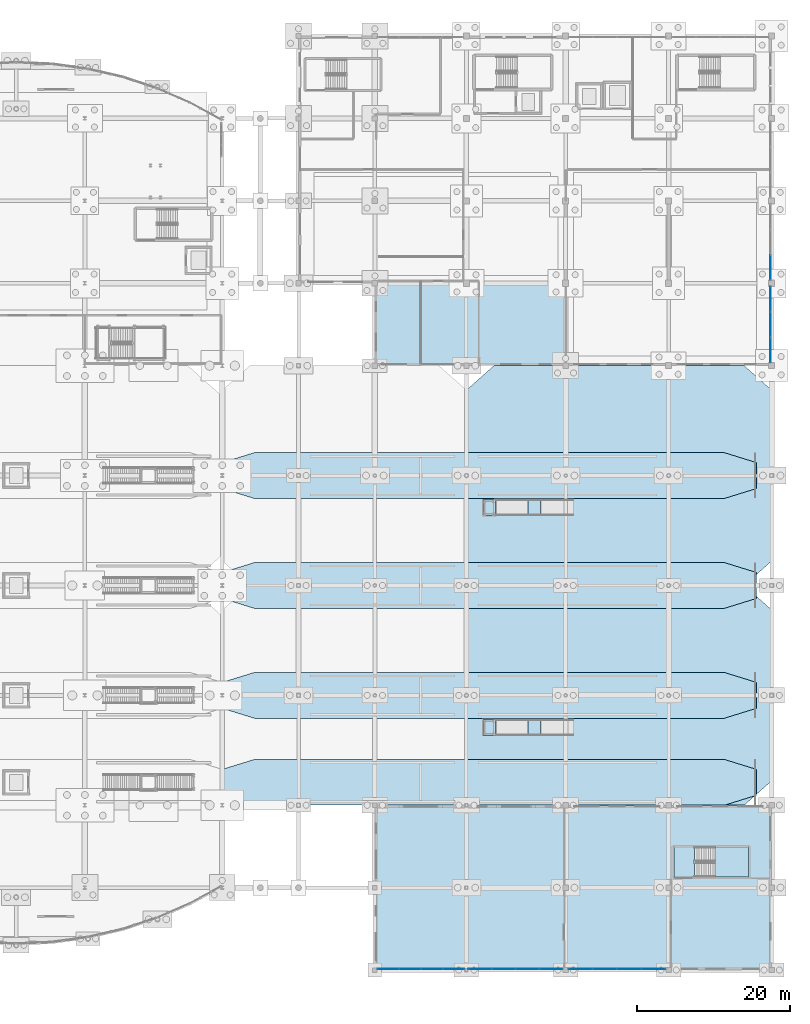
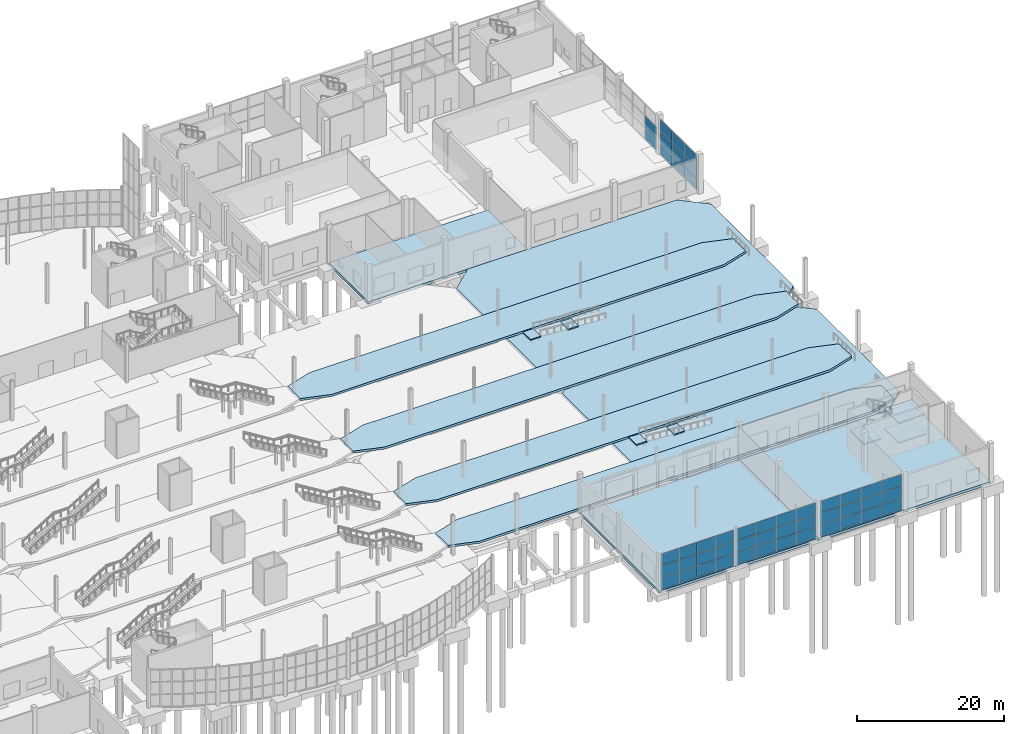
# One storey, part 83 of 115: 47 plates, 16 slabs, 8 elements without a shape of their own.
"""IFC4 building model written with IfcOpenShell, lengths in metres."""

from ifc_helpers import new_model, si_unit, direction, frame, origin, origin_2d, place, context, subcontext, project, spatial, polyline, rectangle, outline, extrude, material, layer, layer_set, type_object, element, aggregate, save


model = new_model("IFC4")

# Units and contexts
model_context = context("Model", 3, precision=1e-05, world=origin(), true_north=direction((0.0, 1.0)))
body_context = subcontext(model_context, "Body", "Model", "MODEL_VIEW")
ifc_project = project(units=[si_unit("LENGTHUNIT", "METRE"), si_unit("AREAUNIT", "SQUARE_METRE"), si_unit("VOLUMEUNIT", "CUBIC_METRE"), si_unit("PLANEANGLEUNIT", "RADIAN"), si_unit("MASSUNIT", "GRAM", prefix="KILO")], contexts=[model_context])

# Site, building, storey
site_placement = place(None, origin())
site = spatial("IfcSite", under=ifc_project, at=site_placement, CompositionType="ELEMENT")
building_placement = place(site_placement, origin())
building = spatial("IfcBuilding", under=site, at=building_placement, Name="Tamarisk Ironworks Central Station", CompositionType="ELEMENT")
storey_placement = place(building_placement, origin())
storey = spatial("IfcBuildingStorey", under=building, at=storey_placement, Name="L00", CompositionType="ELEMENT", Elevation=0.0)

# Curtain wall, plates
ifc_material_1 = material(Name="Anodized aluminium alloy 6063-T6", Category="aluminium")
ifc_layer_1 = layer(ifc_material_1, 0.179931640625)
ifc_layer_set_1 = layer_set([ifc_layer_1], Name="Anodized aluminium alloy 6063-T6")
curtain_wall_type = type_object("IfcCurtainWallType", Name="CW-15", PredefinedType="USERDEFINED", material=ifc_layer_set_1)
curtain_wall_1_placement = place(storey_placement, origin())
curtain_wall_1 = element("IfcCurtainWall", 1, at=curtain_wall_1_placement, inside=storey, type_object=curtain_wall_type, Name="Operations L00 east facade curtain wall 079", ObjectType="GLAZED CURTAIN WALL", PredefinedType="USERDEFINED")
ifc_material_2 = material(Name="Laminated solar-control low-E glass", Category="glass")
ifc_layer_2 = layer(ifc_material_2, 0.028076171875)
ifc_layer_set_2 = layer_set([ifc_layer_2], Name="Laminated solar-control low-E glass")
plate_type = type_object("IfcPlateType", Name="PL-CWP28", PredefinedType="CURTAIN_PANEL", material=ifc_layer_set_2)
plate_1_placement = place(storey_placement, frame((179.85009765625, 81.2841796875, 0.069091796875), z_axis=(0.0, 0.0, 1.0), x_axis=(0.0, 1.0, 0.0)))
plate_1 = element("IfcPlate", 2, at=plate_1_placement, type_object=plate_type, Name="CW15 panel 1.1", PredefinedType="CURTAIN_PANEL", context=body_context, shape_type="SweptSolid", body=[
    extrude(rectangle(XDim=3.234130859375, YDim=0.028076171875, at=origin_2d()), origin(), (0.0, 0.0, 1.0), 1.90625),
])
plate_2_placement = place(storey_placement, frame((179.85009765625, 81.2841796875, 2.0380859375), z_axis=(0.0, 0.0, 1.0), x_axis=(0.0, 1.0, 0.0)))
plate_2 = element("IfcPlate", 3, at=plate_2_placement, type_object=plate_type, Name="CW15 panel 1.2", PredefinedType="CURTAIN_PANEL", context=body_context, shape_type="SweptSolid", body=[
    extrude(rectangle(XDim=3.234130859375, YDim=0.028076171875, at=origin_2d()), origin(), (0.0, 0.0, 1.0), 1.943603515625),
])
plate_3_placement = place(storey_placement, frame((179.85009765625, 81.2841796875, 4.044677734375), z_axis=(0.0, 0.0, 1.0), x_axis=(0.0, 1.0, 0.0)))
plate_3 = element("IfcPlate", 4, at=plate_3_placement, type_object=plate_type, Name="CW15 panel 1.3", PredefinedType="CURTAIN_PANEL", context=body_context, shape_type="SweptSolid", body=[
    extrude(rectangle(XDim=3.234130859375, YDim=0.028076171875, at=origin_2d()), origin(), (0.0, 0.0, 1.0), 1.90625),
])
plate_4_placement = place(storey_placement, frame((179.85009765625, 84.60009765625, 0.069091796875), z_axis=(0.0, 0.0, 1.0), x_axis=(0.0, 1.0, 0.0)))
plate_4 = element("IfcPlate", 5, at=plate_4_placement, type_object=plate_type, Name="CW15 panel 2.1", PredefinedType="CURTAIN_PANEL", context=body_context, shape_type="SweptSolid", body=[
    extrude(rectangle(XDim=3.271728515625, YDim=0.028076171875, at=origin_2d()), origin(), (0.0, 0.0, 1.0), 1.90625),
])
plate_5_placement = place(storey_placement, frame((179.85009765625, 84.60009765625, 2.0380859375), z_axis=(0.0, 0.0, 1.0), x_axis=(0.0, 1.0, 0.0)))
plate_5 = element("IfcPlate", 6, at=plate_5_placement, type_object=plate_type, Name="CW15 panel 2.2", PredefinedType="CURTAIN_PANEL", context=body_context, shape_type="SweptSolid", body=[
    extrude(rectangle(XDim=3.271728515625, YDim=0.028076171875, at=origin_2d()), origin(), (0.0, 0.0, 1.0), 1.943603515625),
])
plate_6_placement = place(storey_placement, frame((179.85009765625, 84.60009765625, 4.044677734375), z_axis=(0.0, 0.0, 1.0), x_axis=(0.0, 1.0, 0.0)))
plate_6 = element("IfcPlate", 7, at=plate_6_placement, type_object=plate_type, Name="CW15 panel 2.3", PredefinedType="CURTAIN_PANEL", context=body_context, shape_type="SweptSolid", body=[
    extrude(rectangle(XDim=3.271728515625, YDim=0.028076171875, at=origin_2d()), origin(), (0.0, 0.0, 1.0), 1.90625),
])
plate_7_placement = place(storey_placement, frame((179.85009765625, 87.916015625, 0.069091796875), z_axis=(0.0, 0.0, 1.0), x_axis=(0.0, 1.0, 0.0)))
plate_7 = element("IfcPlate", 8, at=plate_7_placement, type_object=plate_type, Name="CW15 panel 3.1", PredefinedType="CURTAIN_PANEL", context=body_context, shape_type="SweptSolid", body=[
    extrude(rectangle(XDim=3.234130859375, YDim=0.028076171875, at=origin_2d()), origin(), (0.0, 0.0, 1.0), 1.90625),
])
plate_8_placement = place(storey_placement, frame((179.85009765625, 87.916015625, 2.0380859375), z_axis=(0.0, 0.0, 1.0), x_axis=(0.0, 1.0, 0.0)))
plate_8 = element("IfcPlate", 9, at=plate_8_placement, type_object=plate_type, Name="CW15 panel 3.2", PredefinedType="CURTAIN_PANEL", context=body_context, shape_type="SweptSolid", body=[
    extrude(rectangle(XDim=3.234130859375, YDim=0.028076171875, at=origin_2d()), origin(), (0.0, 0.0, 1.0), 1.943603515625),
])
plate_9_placement = place(storey_placement, frame((179.85009765625, 87.916015625, 4.044677734375), z_axis=(0.0, 0.0, 1.0), x_axis=(0.0, 1.0, 0.0)))
plate_9 = element("IfcPlate", 10, at=plate_9_placement, type_object=plate_type, Name="CW15 panel 3.3", PredefinedType="CURTAIN_PANEL", context=body_context, shape_type="SweptSolid", body=[
    extrude(rectangle(XDim=3.234130859375, YDim=0.028076171875, at=origin_2d()), origin(), (0.0, 0.0, 1.0), 1.90625),
])
aggregate(curtain_wall_1, [plate_1, plate_2, plate_3, plate_4, plate_5, plate_6, plate_7, plate_8, plate_9])

curtain_wall_2_placement = place(storey_placement, origin())
curtain_wall_2 = element("IfcCurtainWall", 11, at=curtain_wall_2_placement, inside=storey, type_object=curtain_wall_type, Name="Operations L00 east facade curtain wall 090", ObjectType="GLAZED CURTAIN WALL", PredefinedType="USERDEFINED")
plate_10_placement = place(storey_placement, frame((179.85009765625, 92.083984375, 0.069091796875), z_axis=(0.0, 0.0, 1.0), x_axis=(0.0, 1.0, 0.0)))
plate_10 = element("IfcPlate", 12, at=plate_10_placement, type_object=plate_type, Name="CW15 panel 1.1", PredefinedType="CURTAIN_PANEL", context=body_context, shape_type="SweptSolid", body=[
    extrude(rectangle(XDim=3.234130859375, YDim=0.028076171875, at=origin_2d()), origin(), (0.0, 0.0, 1.0), 1.90625),
])
plate_11_placement = place(storey_placement, frame((179.85009765625, 92.083984375, 2.0380859375), z_axis=(0.0, 0.0, 1.0), x_axis=(0.0, 1.0, 0.0)))
plate_11 = element("IfcPlate", 13, at=plate_11_placement, type_object=plate_type, Name="CW15 panel 1.2", PredefinedType="CURTAIN_PANEL", context=body_context, shape_type="SweptSolid", body=[
    extrude(rectangle(XDim=3.234130859375, YDim=0.028076171875, at=origin_2d()), origin(), (0.0, 0.0, 1.0), 1.943603515625),
])
aggregate(curtain_wall_2, [plate_10, plate_11])

curtain_wall_3_placement = place(storey_placement, origin())
curtain_wall_3 = element("IfcCurtainWall", 14, at=curtain_wall_3_placement, inside=storey, type_object=curtain_wall_type, Name="South-east annex L00 curtain wall 128", ObjectType="GLAZED CURTAIN WALL", PredefinedType="USERDEFINED")
plate_12_placement = place(storey_placement, frame((129.754638671875, 0.14990234375, 0.069091796875), z_axis=(0.0, 0.0, 1.0), x_axis=(1.0, 0.0, 0.0)))
plate_12 = element("IfcPlate", 15, at=plate_12_placement, type_object=plate_type, Name="CW15 panel 1.1", PredefinedType="CURTAIN_PANEL", context=body_context, shape_type="SweptSolid", body=[
    extrude(rectangle(XDim=2.775390625, YDim=0.028076171875, at=origin_2d()), origin(), (0.0, 0.0, 1.0), 1.90625),
])
plate_13_placement = place(storey_placement, frame((129.754638671875, 0.14990234375, 2.0380859375), z_axis=(0.0, 0.0, 1.0), x_axis=(1.0, 0.0, 0.0)))
plate_13 = element("IfcPlate", 16, at=plate_13_placement, type_object=plate_type, Name="CW15 panel 1.2", PredefinedType="CURTAIN_PANEL", context=body_context, shape_type="SweptSolid", body=[
    extrude(rectangle(XDim=2.775390625, YDim=0.028076171875, at=origin_2d()), origin(), (0.0, 0.0, 1.0), 1.943603515625),
])
plate_14_placement = place(storey_placement, frame((129.754638671875, 0.14990234375, 4.044677734375), z_axis=(0.0, 0.0, 1.0), x_axis=(1.0, 0.0, 0.0)))
plate_14 = element("IfcPlate", 17, at=plate_14_placement, type_object=plate_type, Name="CW15 panel 1.3", PredefinedType="CURTAIN_PANEL", context=body_context, shape_type="SweptSolid", body=[
    extrude(rectangle(XDim=2.775390625, YDim=0.028076171875, at=origin_2d()), origin(), (0.0, 0.0, 1.0), 1.90625),
])
plate_15_placement = place(storey_placement, frame((132.612060546875, 0.14990234375, 0.069091796875), z_axis=(0.0, 0.0, 1.0), x_axis=(1.0, 0.0, 0.0)))
plate_15 = element("IfcPlate", 18, at=plate_15_placement, type_object=plate_type, Name="CW15 panel 2.1", PredefinedType="CURTAIN_PANEL", context=body_context, shape_type="SweptSolid", body=[
    extrude(rectangle(XDim=2.81298828125, YDim=0.028076171875, at=origin_2d()), origin(), (0.0, 0.0, 1.0), 1.90625),
])
plate_16_placement = place(storey_placement, frame((132.612060546875, 0.14990234375, 2.0380859375), z_axis=(0.0, 0.0, 1.0), x_axis=(1.0, 0.0, 0.0)))
plate_16 = element("IfcPlate", 19, at=plate_16_placement, type_object=plate_type, Name="CW15 panel 2.2", PredefinedType="CURTAIN_PANEL", context=body_context, shape_type="SweptSolid", body=[
    extrude(rectangle(XDim=2.81298828125, YDim=0.028076171875, at=origin_2d()), origin(), (0.0, 0.0, 1.0), 1.943603515625),
])
plate_17_placement = place(storey_placement, frame((132.612060546875, 0.14990234375, 4.044677734375), z_axis=(0.0, 0.0, 1.0), x_axis=(1.0, 0.0, 0.0)))
plate_17 = element("IfcPlate", 20, at=plate_17_placement, type_object=plate_type, Name="CW15 panel 2.3", PredefinedType="CURTAIN_PANEL", context=body_context, shape_type="SweptSolid", body=[
    extrude(rectangle(XDim=2.81298828125, YDim=0.028076171875, at=origin_2d()), origin(), (0.0, 0.0, 1.0), 1.90625),
])
plate_18_placement = place(storey_placement, frame((135.488037109375, 0.14990234375, 0.069091796875), z_axis=(0.0, 0.0, 1.0), x_axis=(1.0, 0.0, 0.0)))
plate_18 = element("IfcPlate", 21, at=plate_18_placement, type_object=plate_type, Name="CW15 panel 3.1", PredefinedType="CURTAIN_PANEL", context=body_context, shape_type="SweptSolid", body=[
    extrude(rectangle(XDim=2.81298828125, YDim=0.028076171875, at=origin_2d()), origin(), (0.0, 0.0, 1.0), 1.90625),
])
plate_19_placement = place(storey_placement, frame((135.488037109375, 0.14990234375, 2.0380859375), z_axis=(0.0, 0.0, 1.0), x_axis=(1.0, 0.0, 0.0)))
plate_19 = element("IfcPlate", 22, at=plate_19_placement, type_object=plate_type, Name="CW15 panel 3.2", PredefinedType="CURTAIN_PANEL", context=body_context, shape_type="SweptSolid", body=[
    extrude(rectangle(XDim=2.81298828125, YDim=0.028076171875, at=origin_2d()), origin(), (0.0, 0.0, 1.0), 1.943603515625),
])
plate_20_placement = place(storey_placement, frame((135.488037109375, 0.14990234375, 4.044677734375), z_axis=(0.0, 0.0, 1.0), x_axis=(1.0, 0.0, 0.0)))
plate_20 = element("IfcPlate", 23, at=plate_20_placement, type_object=plate_type, Name="CW15 panel 3.3", PredefinedType="CURTAIN_PANEL", context=body_context, shape_type="SweptSolid", body=[
    extrude(rectangle(XDim=2.81298828125, YDim=0.028076171875, at=origin_2d()), origin(), (0.0, 0.0, 1.0), 1.90625),
])
plate_21_placement = place(storey_placement, frame((138.34521484375, 0.14990234375, 0.069091796875), z_axis=(0.0, 0.0, 1.0), x_axis=(1.0, 0.0, 0.0)))
plate_21 = element("IfcPlate", 24, at=plate_21_placement, type_object=plate_type, Name="CW15 panel 4.1", PredefinedType="CURTAIN_PANEL", context=body_context, shape_type="SweptSolid", body=[
    extrude(rectangle(XDim=2.775390625, YDim=0.028076171875, at=origin_2d()), origin(), (0.0, 0.0, 1.0), 1.90625),
])
plate_22_placement = place(storey_placement, frame((138.34521484375, 0.14990234375, 2.0380859375), z_axis=(0.0, 0.0, 1.0), x_axis=(1.0, 0.0, 0.0)))
plate_22 = element("IfcPlate", 25, at=plate_22_placement, type_object=plate_type, Name="CW15 panel 4.2", PredefinedType="CURTAIN_PANEL", context=body_context, shape_type="SweptSolid", body=[
    extrude(rectangle(XDim=2.775390625, YDim=0.028076171875, at=origin_2d()), origin(), (0.0, 0.0, 1.0), 1.943603515625),
])
plate_23_placement = place(storey_placement, frame((138.34521484375, 0.14990234375, 4.044677734375), z_axis=(0.0, 0.0, 1.0), x_axis=(1.0, 0.0, 0.0)))
plate_23 = element("IfcPlate", 26, at=plate_23_placement, type_object=plate_type, Name="CW15 panel 4.3", PredefinedType="CURTAIN_PANEL", context=body_context, shape_type="SweptSolid", body=[
    extrude(rectangle(XDim=2.775390625, YDim=0.028076171875, at=origin_2d()), origin(), (0.0, 0.0, 1.0), 1.90625),
])
aggregate(curtain_wall_3, [plate_12, plate_13, plate_14, plate_15, plate_16, plate_17, plate_18, plate_19, plate_20, plate_21, plate_22, plate_23])

curtain_wall_4_placement = place(storey_placement, origin())
curtain_wall_4 = element("IfcCurtainWall", 27, at=curtain_wall_4_placement, inside=storey, type_object=curtain_wall_type, Name="South-east annex L00 curtain wall 140", ObjectType="GLAZED CURTAIN WALL", PredefinedType="USERDEFINED")
plate_24_placement = place(storey_placement, frame((141.7734375, 0.14990234375, 0.069091796875), z_axis=(0.0, 0.0, 1.0), x_axis=(1.0, 0.0, 0.0)))
plate_24 = element("IfcPlate", 28, at=plate_24_placement, type_object=plate_type, Name="CW15 panel 1.1", PredefinedType="CURTAIN_PANEL", context=body_context, shape_type="SweptSolid", body=[
    extrude(rectangle(XDim=3.012939453125, YDim=0.028076171875, at=origin_2d()), origin(), (0.0, 0.0, 1.0), 1.90625),
])
plate_25_placement = place(storey_placement, frame((141.7734375, 0.14990234375, 2.0380859375), z_axis=(0.0, 0.0, 1.0), x_axis=(1.0, 0.0, 0.0)))
plate_25 = element("IfcPlate", 29, at=plate_25_placement, type_object=plate_type, Name="CW15 panel 1.2", PredefinedType="CURTAIN_PANEL", context=body_context, shape_type="SweptSolid", body=[
    extrude(rectangle(XDim=3.012939453125, YDim=0.028076171875, at=origin_2d()), origin(), (0.0, 0.0, 1.0), 1.943603515625),
])
plate_26_placement = place(storey_placement, frame((141.7734375, 0.14990234375, 4.044677734375), z_axis=(0.0, 0.0, 1.0), x_axis=(1.0, 0.0, 0.0)))
plate_26 = element("IfcPlate", 30, at=plate_26_placement, type_object=plate_type, Name="CW15 panel 1.3", PredefinedType="CURTAIN_PANEL", context=body_context, shape_type="SweptSolid", body=[
    extrude(rectangle(XDim=3.012939453125, YDim=0.028076171875, at=origin_2d()), origin(), (0.0, 0.0, 1.0), 1.90625),
])
plate_27_placement = place(storey_placement, frame((144.8681640625, 0.14990234375, 0.069091796875), z_axis=(0.0, 0.0, 1.0), x_axis=(1.0, 0.0, 0.0)))
plate_27 = element("IfcPlate", 31, at=plate_27_placement, type_object=plate_type, Name="CW15 panel 2.1", PredefinedType="CURTAIN_PANEL", context=body_context, shape_type="SweptSolid", body=[
    extrude(rectangle(XDim=3.050537109375, YDim=0.028076171875, at=origin_2d()), origin(), (0.0, 0.0, 1.0), 1.90625),
])
plate_28_placement = place(storey_placement, frame((144.8681640625, 0.14990234375, 2.0380859375), z_axis=(0.0, 0.0, 1.0), x_axis=(1.0, 0.0, 0.0)))
plate_28 = element("IfcPlate", 32, at=plate_28_placement, type_object=plate_type, Name="CW15 panel 2.2", PredefinedType="CURTAIN_PANEL", context=body_context, shape_type="SweptSolid", body=[
    extrude(rectangle(XDim=3.050537109375, YDim=0.028076171875, at=origin_2d()), origin(), (0.0, 0.0, 1.0), 1.943603515625),
])
plate_29_placement = place(storey_placement, frame((144.8681640625, 0.14990234375, 4.044677734375), z_axis=(0.0, 0.0, 1.0), x_axis=(1.0, 0.0, 0.0)))
plate_29 = element("IfcPlate", 33, at=plate_29_placement, type_object=plate_type, Name="CW15 panel 2.3", PredefinedType="CURTAIN_PANEL", context=body_context, shape_type="SweptSolid", body=[
    extrude(rectangle(XDim=3.050537109375, YDim=0.028076171875, at=origin_2d()), origin(), (0.0, 0.0, 1.0), 1.90625),
])
plate_30_placement = place(storey_placement, frame((147.981689453125, 0.14990234375, 0.069091796875), z_axis=(0.0, 0.0, 1.0), x_axis=(1.0, 0.0, 0.0)))
plate_30 = element("IfcPlate", 34, at=plate_30_placement, type_object=plate_type, Name="CW15 panel 3.1", PredefinedType="CURTAIN_PANEL", context=body_context, shape_type="SweptSolid", body=[
    extrude(rectangle(XDim=3.050537109375, YDim=0.028076171875, at=origin_2d()), origin(), (0.0, 0.0, 1.0), 1.90625),
])
plate_31_placement = place(storey_placement, frame((147.981689453125, 0.14990234375, 2.0380859375), z_axis=(0.0, 0.0, 1.0), x_axis=(1.0, 0.0, 0.0)))
plate_31 = element("IfcPlate", 35, at=plate_31_placement, type_object=plate_type, Name="CW15 panel 3.2", PredefinedType="CURTAIN_PANEL", context=body_context, shape_type="SweptSolid", body=[
    extrude(rectangle(XDim=3.050537109375, YDim=0.028076171875, at=origin_2d()), origin(), (0.0, 0.0, 1.0), 1.943603515625),
])
plate_32_placement = place(storey_placement, frame((147.981689453125, 0.14990234375, 4.044677734375), z_axis=(0.0, 0.0, 1.0), x_axis=(1.0, 0.0, 0.0)))
plate_32 = element("IfcPlate", 36, at=plate_32_placement, type_object=plate_type, Name="CW15 panel 3.3", PredefinedType="CURTAIN_PANEL", context=body_context, shape_type="SweptSolid", body=[
    extrude(rectangle(XDim=3.050537109375, YDim=0.028076171875, at=origin_2d()), origin(), (0.0, 0.0, 1.0), 1.90625),
])
plate_33_placement = place(storey_placement, frame((151.076416015625, 0.14990234375, 0.069091796875), z_axis=(0.0, 0.0, 1.0), x_axis=(1.0, 0.0, 0.0)))
plate_33 = element("IfcPlate", 37, at=plate_33_placement, type_object=plate_type, Name="CW15 panel 4.1", PredefinedType="CURTAIN_PANEL", context=body_context, shape_type="SweptSolid", body=[
    extrude(rectangle(XDim=3.012939453125, YDim=0.028076171875, at=origin_2d()), origin(), (0.0, 0.0, 1.0), 1.90625),
])
plate_34_placement = place(storey_placement, frame((151.076416015625, 0.14990234375, 2.0380859375), z_axis=(0.0, 0.0, 1.0), x_axis=(1.0, 0.0, 0.0)))
plate_34 = element("IfcPlate", 38, at=plate_34_placement, type_object=plate_type, Name="CW15 panel 4.2", PredefinedType="CURTAIN_PANEL", context=body_context, shape_type="SweptSolid", body=[
    extrude(rectangle(XDim=3.012939453125, YDim=0.028076171875, at=origin_2d()), origin(), (0.0, 0.0, 1.0), 1.943603515625),
])
plate_35_placement = place(storey_placement, frame((151.076416015625, 0.14990234375, 4.044677734375), z_axis=(0.0, 0.0, 1.0), x_axis=(1.0, 0.0, 0.0)))
plate_35 = element("IfcPlate", 39, at=plate_35_placement, type_object=plate_type, Name="CW15 panel 4.3", PredefinedType="CURTAIN_PANEL", context=body_context, shape_type="SweptSolid", body=[
    extrude(rectangle(XDim=3.012939453125, YDim=0.028076171875, at=origin_2d()), origin(), (0.0, 0.0, 1.0), 1.90625),
])
aggregate(curtain_wall_4, [plate_24, plate_25, plate_26, plate_27, plate_28, plate_29, plate_30, plate_31, plate_32, plate_33, plate_34, plate_35])

curtain_wall_5_placement = place(storey_placement, origin())
curtain_wall_5 = element("IfcCurtainWall", 40, at=curtain_wall_5_placement, inside=storey, type_object=curtain_wall_type, Name="South-east annex L00 curtain wall 153", ObjectType="GLAZED CURTAIN WALL", PredefinedType="USERDEFINED")
plate_36_placement = place(storey_placement, frame((154.96728515625, 0.14990234375, 0.069091796875), z_axis=(0.0, 0.0, 1.0), x_axis=(1.0, 0.0, 0.0)))
plate_36 = element("IfcPlate", 41, at=plate_36_placement, type_object=plate_type, Name="CW15 panel 1.1", PredefinedType="CURTAIN_PANEL", context=body_context, shape_type="SweptSolid", body=[
    extrude(rectangle(XDim=3.1005859375, YDim=0.028076171875, at=origin_2d()), origin(), (0.0, 0.0, 1.0), 1.90625),
])
plate_37_placement = place(storey_placement, frame((154.96728515625, 0.14990234375, 2.0380859375), z_axis=(0.0, 0.0, 1.0), x_axis=(1.0, 0.0, 0.0)))
plate_37 = element("IfcPlate", 42, at=plate_37_placement, type_object=plate_type, Name="CW15 panel 1.2", PredefinedType="CURTAIN_PANEL", context=body_context, shape_type="SweptSolid", body=[
    extrude(rectangle(XDim=3.1005859375, YDim=0.028076171875, at=origin_2d()), origin(), (0.0, 0.0, 1.0), 1.943603515625),
])
plate_38_placement = place(storey_placement, frame((154.96728515625, 0.14990234375, 4.044677734375), z_axis=(0.0, 0.0, 1.0), x_axis=(1.0, 0.0, 0.0)))
plate_38 = element("IfcPlate", 43, at=plate_38_placement, type_object=plate_type, Name="CW15 panel 1.3", PredefinedType="CURTAIN_PANEL", context=body_context, shape_type="SweptSolid", body=[
    extrude(rectangle(XDim=3.1005859375, YDim=0.028076171875, at=origin_2d()), origin(), (0.0, 0.0, 1.0), 1.90625),
])
plate_39_placement = place(storey_placement, frame((158.1494140625, 0.14990234375, 0.069091796875), z_axis=(0.0, 0.0, 1.0), x_axis=(1.0, 0.0, 0.0)))
plate_39 = element("IfcPlate", 44, at=plate_39_placement, type_object=plate_type, Name="CW15 panel 2.1", PredefinedType="CURTAIN_PANEL", context=body_context, shape_type="SweptSolid", body=[
    extrude(rectangle(XDim=3.137939453125, YDim=0.028076171875, at=origin_2d()), origin(), (0.0, 0.0, 1.0), 1.90625),
])
plate_40_placement = place(storey_placement, frame((158.1494140625, 0.14990234375, 2.0380859375), z_axis=(0.0, 0.0, 1.0), x_axis=(1.0, 0.0, 0.0)))
plate_40 = element("IfcPlate", 45, at=plate_40_placement, type_object=plate_type, Name="CW15 panel 2.2", PredefinedType="CURTAIN_PANEL", context=body_context, shape_type="SweptSolid", body=[
    extrude(rectangle(XDim=3.137939453125, YDim=0.028076171875, at=origin_2d()), origin(), (0.0, 0.0, 1.0), 1.943603515625),
])
plate_41_placement = place(storey_placement, frame((158.1494140625, 0.14990234375, 4.044677734375), z_axis=(0.0, 0.0, 1.0), x_axis=(1.0, 0.0, 0.0)))
plate_41 = element("IfcPlate", 46, at=plate_41_placement, type_object=plate_type, Name="CW15 panel 2.3", PredefinedType="CURTAIN_PANEL", context=body_context, shape_type="SweptSolid", body=[
    extrude(rectangle(XDim=3.137939453125, YDim=0.028076171875, at=origin_2d()), origin(), (0.0, 0.0, 1.0), 1.90625),
])
plate_42_placement = place(storey_placement, frame((161.3505859375, 0.14990234375, 0.069091796875), z_axis=(0.0, 0.0, 1.0), x_axis=(1.0, 0.0, 0.0)))
plate_42 = element("IfcPlate", 47, at=plate_42_placement, type_object=plate_type, Name="CW15 panel 3.1", PredefinedType="CURTAIN_PANEL", context=body_context, shape_type="SweptSolid", body=[
    extrude(rectangle(XDim=3.137939453125, YDim=0.028076171875, at=origin_2d()), origin(), (0.0, 0.0, 1.0), 1.90625),
])
plate_43_placement = place(storey_placement, frame((161.3505859375, 0.14990234375, 2.0380859375), z_axis=(0.0, 0.0, 1.0), x_axis=(1.0, 0.0, 0.0)))
plate_43 = element("IfcPlate", 48, at=plate_43_placement, type_object=plate_type, Name="CW15 panel 3.2", PredefinedType="CURTAIN_PANEL", context=body_context, shape_type="SweptSolid", body=[
    extrude(rectangle(XDim=3.137939453125, YDim=0.028076171875, at=origin_2d()), origin(), (0.0, 0.0, 1.0), 1.943603515625),
])
plate_44_placement = place(storey_placement, frame((161.3505859375, 0.14990234375, 4.044677734375), z_axis=(0.0, 0.0, 1.0), x_axis=(1.0, 0.0, 0.0)))
plate_44 = element("IfcPlate", 49, at=plate_44_placement, type_object=plate_type, Name="CW15 panel 3.3", PredefinedType="CURTAIN_PANEL", context=body_context, shape_type="SweptSolid", body=[
    extrude(rectangle(XDim=3.137939453125, YDim=0.028076171875, at=origin_2d()), origin(), (0.0, 0.0, 1.0), 1.90625),
])
plate_45_placement = place(storey_placement, frame((164.53271484375, 0.14990234375, 0.069091796875), z_axis=(0.0, 0.0, 1.0), x_axis=(1.0, 0.0, 0.0)))
plate_45 = element("IfcPlate", 50, at=plate_45_placement, type_object=plate_type, Name="CW15 panel 4.1", PredefinedType="CURTAIN_PANEL", context=body_context, shape_type="SweptSolid", body=[
    extrude(rectangle(XDim=3.1005859375, YDim=0.028076171875, at=origin_2d()), origin(), (0.0, 0.0, 1.0), 1.90625),
])
plate_46_placement = place(storey_placement, frame((164.53271484375, 0.14990234375, 2.0380859375), z_axis=(0.0, 0.0, 1.0), x_axis=(1.0, 0.0, 0.0)))
plate_46 = element("IfcPlate", 51, at=plate_46_placement, type_object=plate_type, Name="CW15 panel 4.2", PredefinedType="CURTAIN_PANEL", context=body_context, shape_type="SweptSolid", body=[
    extrude(rectangle(XDim=3.1005859375, YDim=0.028076171875, at=origin_2d()), origin(), (0.0, 0.0, 1.0), 1.943603515625),
])
plate_47_placement = place(storey_placement, frame((164.53271484375, 0.14990234375, 4.044677734375), z_axis=(0.0, 0.0, 1.0), x_axis=(1.0, 0.0, 0.0)))
plate_47 = element("IfcPlate", 52, at=plate_47_placement, type_object=plate_type, Name="CW15 panel 4.3", PredefinedType="CURTAIN_PANEL", context=body_context, shape_type="SweptSolid", body=[
    extrude(rectangle(XDim=3.1005859375, YDim=0.028076171875, at=origin_2d()), origin(), (0.0, 0.0, 1.0), 1.90625),
])
aggregate(curtain_wall_5, [plate_36, plate_37, plate_38, plate_39, plate_40, plate_41, plate_42, plate_43, plate_44, plate_45, plate_46, plate_47])

# Slabs
ifc_material_3 = material(Name="Concrete C40/50", Category="concrete")
ifc_layer_3 = layer(ifc_material_3, 0.449951171875)
ifc_layer_set_3 = layer_set([ifc_layer_3], Name="Concrete C40/50")
slab_type_1 = type_object("IfcSlabType", Name="SL-BS450", PredefinedType="BASESLAB", material=ifc_layer_set_3)
slab_1_placement = place(storey_placement, frame((0.0, 0.0, -0.449951171875)))
element("IfcSlab", 53, at=slab_1_placement, inside=storey, type_object=slab_type_1, Name="L00 Train Shed Structural Base Slab E2", PredefinedType="BASESLAB", context=body_context, shape_type="SweptSolid", body=[
    extrude(outline(polyline([(143.60009765625, 21.60009765625), (176.39990234375, 21.60009765625), (180.0, 24.800048828125), (180.0, 47.199951171875), (176.39990234375, 50.39990234375), (143.60009765625, 50.39990234375), (140.0, 47.199951171875), (140.0, 24.800048828125), (143.60009765625, 21.60009765625)])), origin(), (0.0, 0.0, 1.0), 0.449951171875),
])
slab_2_placement = place(storey_placement, frame((0.0, 0.0, -0.449951171875)))
element("IfcSlab", 54, at=slab_2_placement, inside=storey, type_object=slab_type_1, Name="L00 Train Shed Structural Base Slab E4", PredefinedType="BASESLAB", context=body_context, shape_type="SweptSolid", body=[
    extrude(outline(polyline([(143.60009765625, 50.39990234375), (176.39990234375, 50.39990234375), (180.0, 53.60009765625), (180.0, 76.0), (176.39990234375, 79.199951171875), (143.60009765625, 79.199951171875), (140.0, 76.0), (140.0, 53.60009765625), (143.60009765625, 50.39990234375)])), origin(), (0.0, 0.0, 1.0), 0.449951171875),
])
slab_3_placement = place(storey_placement, frame((0.0, 0.0, -0.449951171875)))
element("IfcSlab", 55, at=slab_3_placement, inside=storey, type_object=slab_type_1, Name="L00 Ground Floor Structural Slab V5-NC", PredefinedType="BASESLAB", context=body_context, shape_type="SweptSolid", body=[
    extrude(outline(polyline([(128.0, 79.199951171875), (153.0, 79.199951171875), (153.0, 90.0), (128.0, 90.0), (128.0, 79.199951171875)])), origin(), (0.0, 0.0, 1.0), 0.449951171875),
])
slab_4_placement = place(storey_placement, frame((0.0, 0.0, -0.449951171875)))
element("IfcSlab", 56, at=slab_4_placement, inside=storey, type_object=slab_type_1, Name="L00 Ground Floor Structural Slab V5-SE1", PredefinedType="BASESLAB", context=body_context, shape_type="SweptSolid", body=[
    extrude(outline(polyline([(128.0, 0.0), (153.0, 0.0), (153.0, 21.60009765625), (128.0, 21.60009765625), (128.0, 0.0)])), origin(), (0.0, 0.0, 1.0), 0.449951171875),
])
slab_5_placement = place(storey_placement, frame((0.0, 0.0, -0.449951171875)))
element("IfcSlab", 57, at=slab_5_placement, inside=storey, type_object=slab_type_1, Name="L00 Ground Floor Structural Slab V5-SE2", PredefinedType="BASESLAB", context=body_context, shape_type="SweptSolid", body=[
    extrude(outline(polyline([(153.0, 0.0), (180.0, 0.0), (180.0, 21.60009765625), (153.0, 21.60009765625), (153.0, 0.0)])), origin(), (0.0, 0.0, 1.0), 0.449951171875),
])

# Ramp, slabs
ramp_type = type_object("IfcRampType", Name="RM-PLAT-B", PredefinedType="HALF_TURN_RAMP", material=ifc_material_3)
ramp_1_placement = place(storey_placement, origin())
ramp_1 = element("IfcRamp", 58, at=ramp_1_placement, inside=storey, type_object=ramp_type, Name="Platform 2 East Accessible Ramp", PredefinedType="TWO_STRAIGHT_RUN_RAMP")
ifc_material_4 = material(Name="Concrete C35/45", Category="concrete")
ifc_layer_4 = layer(ifc_material_4, 0.179931640625)
ifc_layer_set_4 = layer_set([ifc_layer_4], Name="Concrete C35/45")
slab_type_2 = type_object("IfcSlabType", Name="SL-LD180", PredefinedType="LANDING", material=ifc_layer_set_4)
slab_6_placement = place(storey_placement, frame((0.0, 0.0, 0.179931640625)))
slab_6 = element("IfcSlab", 59, at=slab_6_placement, type_object=slab_type_2, Name="RMP2 landing 1", PredefinedType="LANDING", context=body_context, shape_type="SweptSolid", body=[
    extrude(outline(polyline([(148.06005859375, 30.760009765625), (149.699951171875, 30.760009765625), (149.699951171875, 32.840087890625), (148.06005859375, 32.840087890625), (148.06005859375, 30.760009765625)])), origin(), (0.0, 0.0, 1.0), 0.18017578125),
])
slab_7_placement = place(storey_placement, frame((0.0, 0.0, 0.5400390625)))
slab_7 = element("IfcSlab", 60, at=slab_7_placement, type_object=slab_type_2, Name="RMP2 landing 2", PredefinedType="LANDING", context=body_context, shape_type="SweptSolid", body=[
    extrude(outline(polyline([(142.139892578125, 30.760009765625), (143.780029296875, 30.760009765625), (143.780029296875, 32.840087890625), (142.139892578125, 32.840087890625), (142.139892578125, 30.760009765625)])), origin(), (0.0, 0.0, 1.0), 0.179931640625),
])
aggregate(ramp_1, [slab_6, slab_7])

ramp_2_placement = place(storey_placement, origin())
ramp_2 = element("IfcRamp", 61, at=ramp_2_placement, inside=storey, type_object=ramp_type, Name="Platform 4 East Accessible Ramp", PredefinedType="TWO_STRAIGHT_RUN_RAMP")
slab_8_placement = place(storey_placement, frame((0.0, 0.0, 0.179931640625)))
slab_8 = element("IfcSlab", 62, at=slab_8_placement, type_object=slab_type_2, Name="RMP2 landing 1", PredefinedType="LANDING", context=body_context, shape_type="SweptSolid", body=[
    extrude(outline(polyline([(148.06005859375, 59.56005859375), (149.699951171875, 59.56005859375), (149.699951171875, 61.639892578125), (148.06005859375, 61.639892578125), (148.06005859375, 59.56005859375)])), origin(), (0.0, 0.0, 1.0), 0.18017578125),
])
slab_9_placement = place(storey_placement, frame((0.0, 0.0, 0.5400390625)))
slab_9 = element("IfcSlab", 63, at=slab_9_placement, type_object=slab_type_2, Name="RMP2 landing 2", PredefinedType="LANDING", context=body_context, shape_type="SweptSolid", body=[
    extrude(outline(polyline([(142.139892578125, 59.56005859375), (143.780029296875, 59.56005859375), (143.780029296875, 61.639892578125), (142.139892578125, 61.639892578125), (142.139892578125, 59.56005859375)])), origin(), (0.0, 0.0, 1.0), 0.179931640625),
])
aggregate(ramp_2, [slab_8, slab_9])

# Stair, slabs
stair_type = type_object("IfcStairType", Name="ST-CORE-D", PredefinedType="HALF_TURN_STAIR", material=ifc_material_4)
stair_placement = place(storey_placement, origin())
stair = element("IfcStair", 64, at=stair_placement, inside=storey, type_object=stair_type, Name="L00 South-East Operations Annex Exit Stair Core 7", PredefinedType="HALF_TURN_STAIR")
ifc_layer_5 = layer(ifc_material_4, 0.215087890625)
ifc_layer_set_5 = layer_set([ifc_layer_5], Name="Concrete C35/45")
slab_type_3 = type_object("IfcSlabType", Name="SL-LD220", PredefinedType="LANDING", material=ifc_layer_set_5)
slab_10_placement = place(storey_placement, frame((0.0, 0.0, 1.449951171875)))
slab_10 = element("IfcSlab", 65, at=slab_10_placement, type_object=slab_type_3, Name="ST-C7 landing 1", PredefinedType="LANDING", context=body_context, shape_type="SweptSolid", body=[
    extrude(outline(polyline([(172.60009765625, 12.199951171875), (176.949951171875, 12.199951171875), (176.949951171875, 16.10009765625), (172.60009765625, 16.10009765625), (172.60009765625, 12.199951171875)])), origin(), (0.0, 0.0, 1.0), 0.199951171875),
])
slab_11_placement = place(storey_placement, frame((0.0, 0.0, 3.10009765625)))
slab_11 = element("IfcSlab", 66, at=slab_11_placement, type_object=slab_type_3, Name="ST-C7 landing 2", PredefinedType="LANDING", context=body_context, shape_type="SweptSolid", body=[
    extrude(outline(polyline([(167.199951171875, 12.199951171875), (169.89990234375, 12.199951171875), (169.89990234375, 16.10009765625), (167.199951171875, 16.10009765625), (167.199951171875, 12.199951171875)])), origin(), (0.0, 0.0, 1.0), 0.199951171875),
])
slab_12_placement = place(storey_placement, frame((0.0, 0.0, 4.75)))
slab_12 = element("IfcSlab", 67, at=slab_12_placement, type_object=slab_type_3, Name="ST-C7 landing 3", PredefinedType="LANDING", context=body_context, shape_type="SweptSolid", body=[
    extrude(outline(polyline([(172.60009765625, 12.199951171875), (176.949951171875, 12.199951171875), (176.949951171875, 16.10009765625), (172.60009765625, 16.10009765625), (172.60009765625, 12.199951171875)])), origin(), (0.0, 0.0, 1.0), 0.199951171875),
])
aggregate(stair, [slab_10, slab_11, slab_12])

# Slabs
ifc_material_5 = material(Name="Precast concrete C45/55", Category="concrete")
ifc_layer_6 = layer(ifc_material_5, 0.35009765625)
ifc_layer_set_6 = layer_set([ifc_layer_6], Name="Precast concrete C45/55")
slab_type_4 = type_object("IfcSlabType", Name="SL-PL350", PredefinedType="FLOOR", material=ifc_layer_set_6)
slab_13_placement = place(storey_placement, frame((0.0, 0.0, 0.3701171875)))
element("IfcSlab", 68, at=slab_13_placement, inside=storey, type_object=slab_type_4, Name="L00 Platform 1 Raised Boarding Deck E", PredefinedType="FLOOR", context=body_context, shape_type="SweptSolid", body=[
    extrude(outline(polyline([(112.199951171875, 21.60009765625), (173.800048828125, 21.60009765625), (178.0, 22.89990234375), (178.0, 26.300048828125), (173.800048828125, 27.60009765625), (112.199951171875, 27.60009765625), (108.0, 26.300048828125), (108.0, 22.89990234375), (112.199951171875, 21.60009765625)])), origin(), (0.0, 0.0, 1.0), 0.349853515625),
])
slab_14_placement = place(storey_placement, frame((0.0, 0.0, 0.3701171875)))
element("IfcSlab", 69, at=slab_14_placement, inside=storey, type_object=slab_type_4, Name="L00 Platform 2 Raised Boarding Deck E", PredefinedType="FLOOR", context=body_context, shape_type="SweptSolid", body=[
    extrude(outline(polyline([(112.199951171875, 33.0), (173.800048828125, 33.0), (178.0, 34.300048828125), (178.0, 37.699951171875), (173.800048828125, 39.0), (112.199951171875, 39.0), (108.0, 37.699951171875), (108.0, 34.300048828125), (112.199951171875, 33.0)])), origin(), (0.0, 0.0, 1.0), 0.349853515625),
])
slab_15_placement = place(storey_placement, frame((0.0, 0.0, 0.3701171875)))
element("IfcSlab", 70, at=slab_15_placement, inside=storey, type_object=slab_type_4, Name="L00 Platform 3 Raised Boarding Deck E", PredefinedType="FLOOR", context=body_context, shape_type="SweptSolid", body=[
    extrude(outline(polyline([(112.199951171875, 47.39990234375), (173.800048828125, 47.39990234375), (178.0, 48.699951171875), (178.0, 52.10009765625), (173.800048828125, 53.39990234375), (112.199951171875, 53.39990234375), (108.0, 52.10009765625), (108.0, 48.699951171875), (112.199951171875, 47.39990234375)])), origin(), (0.0, 0.0, 1.0), 0.349853515625),
])
slab_16_placement = place(storey_placement, frame((0.0, 0.0, 0.3701171875)))
element("IfcSlab", 71, at=slab_16_placement, inside=storey, type_object=slab_type_4, Name="L00 Platform 4 Raised Boarding Deck E", PredefinedType="FLOOR", context=body_context, shape_type="SweptSolid", body=[
    extrude(outline(polyline([(112.199951171875, 61.800048828125), (173.800048828125, 61.800048828125), (178.0, 63.10009765625), (178.0, 66.5), (173.800048828125, 67.800048828125), (112.199951171875, 67.800048828125), (108.0, 66.5), (108.0, 63.10009765625), (112.199951171875, 61.800048828125)])), origin(), (0.0, 0.0, 1.0), 0.349853515625),
])

save(model, "model.ifc")
